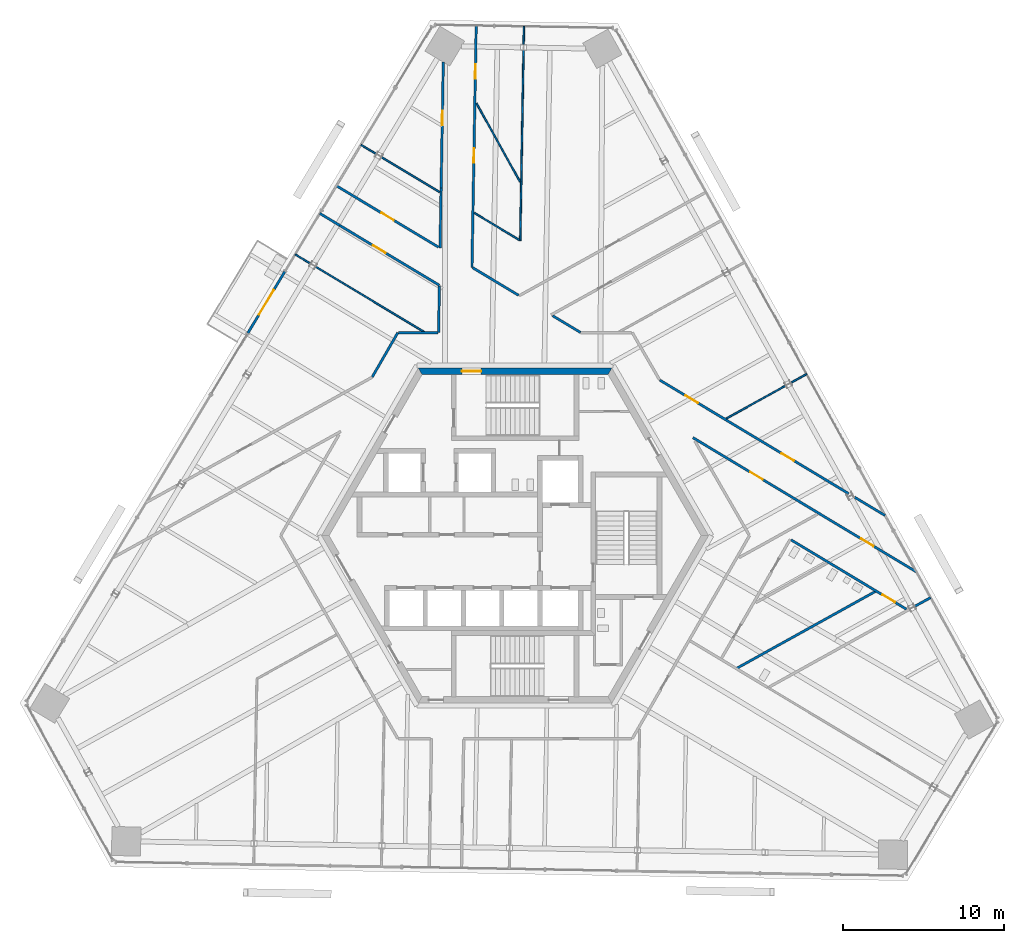
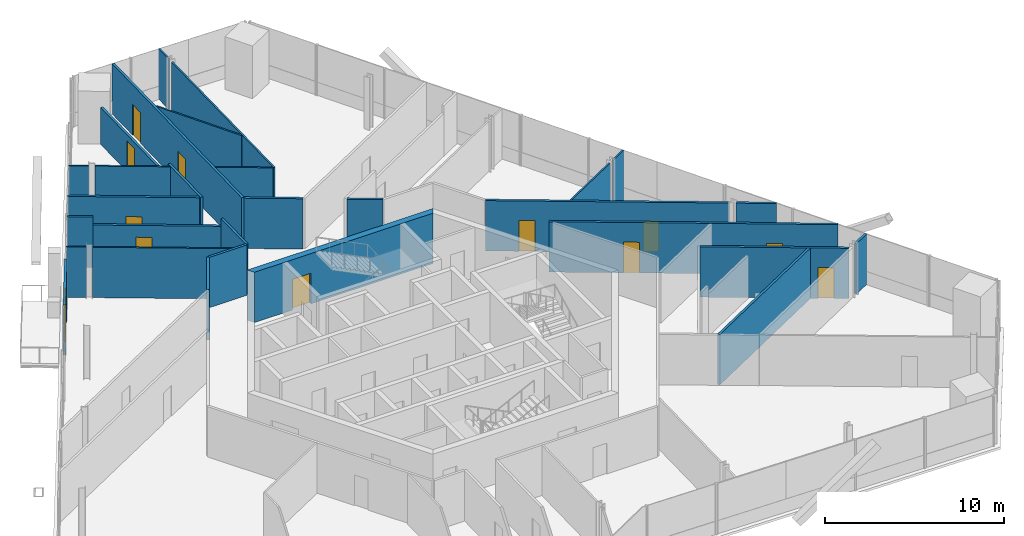
# One storey, part 14 of 19: 29 walls, 12 doors, 12 openings.
"""IFC4 building model written with IfcOpenShell, lengths in metres."""

import ifcopenshell
import ifcopenshell.guid

model = None  # the IFC model being written
_history = None  # IfcOwnerHistory: only IFC2X3 demands one
_inside = {}  # id of a spatial element -> (the spatial element, [elements in it])
_under = {}  # id of a project, library or spatial element -> (it, [spatial elements below it])
_declared = {}  # id of a project -> (the project, [libraries it declares])
_typed = {}  # id of a type object -> (the type object, [elements of that type])
_made_of = {}  # id of a material, layer set ... -> (it, [elements and type objects made of it])


def new_model(schema):
    """Start an empty IFC model of exactly this schema.

    Asked for "IFC4X3", IfcOpenShell would pick the latest addendum, in which some entities
    have other attributes; the version numbers below select the first issue.
    IFC2X3 requires an IfcOwnerHistory on every rooted entity: one is made here for all.
    """
    global model, _history
    if schema == "IFC4X3":
        model = ifcopenshell.file(schema_version=(4, 3, 0, 0))
    else:
        model = ifcopenshell.file(schema=schema)
    _inside.clear()
    _under.clear()
    _declared.clear()
    _typed.clear()
    _made_of.clear()
    _history = None
    if model.schema == "IFC2X3":
        org = make("IfcOrganization", Name="unknown")
        user = make(
            "IfcPersonAndOrganization",
            ThePerson=make("IfcPerson", FamilyName="unknown"),
            TheOrganization=org,
        )
        app = make(
            "IfcApplication",
            ApplicationDeveloper=org,
            Version="unknown",
            ApplicationFullName="unknown",
            ApplicationIdentifier="unknown",
        )
        _history = make(
            "IfcOwnerHistory",
            OwningUser=user,
            OwningApplication=app,
            ChangeAction="ADDED",
            CreationDate=0,
        )
    return model


def make(cls, **values):
    """One entity of the class cls with the attributes given. An attribute that is None is left unset."""
    return model.create_entity(
        cls, **{name: value for name, value in values.items() if value is not None}
    )


def rooted(cls, **values):
    """An entity with a GlobalId (a new one), such as an element, a storey or a relation."""
    return make(cls, GlobalId=ifcopenshell.guid.new(), OwnerHistory=_history, **values)


def si_unit(unit_type, name, prefix=None):
    """IfcSIUnit, for example si_unit("LENGTHUNIT", "METRE", prefix="MILLI")."""
    return make("IfcSIUnit", UnitType=unit_type, Prefix=prefix, Name=name)


def assignment(units):
    """IfcUnitAssignment: the units of a project."""
    return None if units is None else make("IfcUnitAssignment", Units=units)


def point(xyz):
    """IfcCartesianPoint."""
    return None if xyz is None else make("IfcCartesianPoint", Coordinates=xyz)


def direction(xyz):
    """IfcDirection."""
    return None if xyz is None else make("IfcDirection", DirectionRatios=xyz)


def frame(location, z_axis=None, x_axis=None):
    """IfcAxis2Placement3D, a coordinate frame: its origin and axes. An axis left out is left unset."""
    return make(
        "IfcAxis2Placement3D",
        Location=point(location),
        Axis=direction(z_axis),
        RefDirection=direction(x_axis),
    )


def frame_2d(location, x_axis=None):
    """IfcAxis2Placement2D, a coordinate frame in the plane: its origin and x axis."""
    return make(
        "IfcAxis2Placement2D", Location=point(location), RefDirection=direction(x_axis)
    )


def origin():
    """The frame at (0, 0, 0) with its axes left unset."""
    return frame((0.0, 0.0, 0.0))


def place(relative_to, where):
    """IfcLocalPlacement: puts the frame where relative to a parent placement (None: the world)."""
    return make(
        "IfcLocalPlacement", PlacementRelTo=relative_to, RelativePlacement=where
    )


def context(
    kind, dimensions, precision=None, world=None, true_north=None, identifier=None
):
    """IfcGeometricRepresentationContext, for example the 3D "Model" context."""
    return make(
        "IfcGeometricRepresentationContext",
        ContextIdentifier=identifier,
        ContextType=kind,
        CoordinateSpaceDimension=dimensions,
        Precision=precision,
        WorldCoordinateSystem=world,
        TrueNorth=true_north,
    )


def subcontext(parent, identifier, kind, view, scale=None):
    """IfcGeometricRepresentationSubContext, for example "Body" below "Model"."""
    return make(
        "IfcGeometricRepresentationSubContext",
        ContextIdentifier=identifier,
        ContextType=kind,
        ParentContext=parent,
        TargetScale=scale,
        TargetView=view,
    )


def project(units=None, contexts=None):
    """IfcProject with its units and contexts."""
    return rooted(
        "IfcProject",
        Name="project",
        RepresentationContexts=contexts,
        UnitsInContext=assignment(units),
    )


def spatial(cls, under=None, at=None, **own):
    """A site, building, storey or space (cls), placed at a placement, below another one or the project."""
    s = rooted(cls, ObjectPlacement=at, **own)
    if under is not None:
        _under.setdefault(under.id(), (under, []))[1].append(s)
    return s


def polyline(points):
    """IfcPolyline through the points."""
    return make("IfcPolyline", Points=[point(p) for p in points])


def profile(cls, at=None, kind="AREA", **sizes):
    """A parametric profile (cls). Its sizes go by their IFC names, for example OverallWidth=200.0."""
    return make(cls, ProfileType=kind, Position=at, **sizes)


def rectangle(**sizes):
    """IfcRectangleProfileDef."""
    return profile("IfcRectangleProfileDef", **sizes)


def outline(outer, holes=None, kind="AREA"):
    """IfcArbitraryClosedProfileDef: a profile drawn as a closed curve; with holes, ...WithVoids."""
    if holes is None:
        return make("IfcArbitraryClosedProfileDef", ProfileType=kind, OuterCurve=outer)
    return make(
        "IfcArbitraryProfileDefWithVoids",
        ProfileType=kind,
        OuterCurve=outer,
        InnerCurves=holes,
    )


def extrude(swept, where, along, depth):
    """IfcExtrudedAreaSolid: the profile swept, set in the frame where, extruded along a direction by depth."""
    return make(
        "IfcExtrudedAreaSolid",
        SweptArea=swept,
        Position=where,
        ExtrudedDirection=direction(along),
        Depth=depth,
    )


def shape(context_of_items, identifier, shape_type, items):
    """IfcShapeRepresentation: the items that make up one representation, for example the "Body"."""
    return make(
        "IfcShapeRepresentation",
        ContextOfItems=context_of_items,
        RepresentationIdentifier=identifier,
        RepresentationType=shape_type,
        Items=items,
    )


def source(mapping_origin, context_of_items, identifier, shape_type, items):
    """IfcRepresentationMap: a shape defined once, which mapped items show again and again."""
    return make(
        "IfcRepresentationMap",
        MappingOrigin=mapping_origin,
        MappedRepresentation=shape(context_of_items, identifier, shape_type, items),
    )


def transform(
    local_origin,
    x_axis=None,
    y_axis=None,
    z_axis=None,
    scale=None,
    scale2=None,
    scale3=None,
    uniform=True,
):
    """IfcCartesianTransformationOperator3D, or its non-uniform kind. x_axis, y_axis, z_axis: its Axis1, 2, 3."""
    if uniform:
        return make(
            "IfcCartesianTransformationOperator3D",
            Axis1=direction(x_axis),
            Axis2=direction(y_axis),
            LocalOrigin=point(local_origin),
            Scale=scale,
            Axis3=direction(z_axis),
        )
    return make(
        "IfcCartesianTransformationOperator3DnonUniform",
        Axis1=direction(x_axis),
        Axis2=direction(y_axis),
        LocalOrigin=point(local_origin),
        Scale=scale,
        Axis3=direction(z_axis),
        Scale2=scale2,
        Scale3=scale3,
    )


def mapped(mapping_source, mapping_target):
    """IfcMappedItem: shows the shape of a source again, moved by a transform."""
    return make(
        "IfcMappedItem", MappingSource=mapping_source, MappingTarget=mapping_target
    )


def material(Name=None, Category=None):
    """IfcMaterial."""
    return make("IfcMaterial", Name=Name, Category=Category)


def layer(
    of_material, thickness, ventilated=None, Name=None, Category=None, Priority=None
):
    """IfcMaterialLayer: one layer of a wall or slab, of a material (None: an air gap)."""
    return make(
        "IfcMaterialLayer",
        Material=of_material,
        LayerThickness=thickness,
        IsVentilated=ventilated,
        Name=Name,
        Category=Category,
        Priority=Priority,
    )


def layer_set(layers, Name=None):
    """IfcMaterialLayerSet."""
    return make("IfcMaterialLayerSet", MaterialLayers=layers, LayerSetName=Name)


def made_of(thing, what):
    """Note that an element or type object is made of a material, layer set ...; save() writes the relation."""
    if what is not None:
        _made_of.setdefault(what.id(), (what, []))[1].append(thing)
    return thing


def type_object(cls, material=None, **own):
    """A type object (cls), such as IfcWallType, which elements share."""
    return made_of(rooted(cls, **own), material)


def element(
    cls,
    number,
    at=None,
    inside=None,
    cuts=None,
    type_object=None,
    material=None,
    context=None,
    identifier="Body",
    shape_type=None,
    held_by="IfcProductDefinitionShape",
    body=None,
    shapes=None,
    **own,
):
    """One element of the class cls, such as IfcWall. Its Tag is "e" and its number.

    at: its placement. inside: the storey or other place that contains it. cuts: it is an
    opening in that element (IfcRelVoidsElement). A single representation is given by context,
    identifier, shape_type and body (its items); several are given by shapes. held_by: the class
    of the entity that holds the representations. save() writes the other relations.
    """
    e = rooted(cls, Tag="e%d" % number, ObjectPlacement=at, **own)
    if body is not None:
        shapes = [shape(context, identifier, shape_type, body)]
    if shapes is not None:
        e.Representation = make(held_by, Representations=shapes)
    if inside is not None:
        _inside.setdefault(inside.id(), (inside, []))[1].append(e)
    if cuts is not None:
        rooted(
            "IfcRelVoidsElement", RelatingBuildingElement=cuts, RelatedOpeningElement=e
        )
    if type_object is not None:
        _typed.setdefault(type_object.id(), (type_object, []))[1].append(e)
    return made_of(e, material)


def fill(opening, filler):
    """IfcRelFillsElement: the door or window that sits in an opening."""
    return rooted(
        "IfcRelFillsElement",
        RelatingOpeningElement=opening,
        RelatedBuildingElement=filler,
    )


def aggregate(whole, parts):
    """IfcRelAggregates: a whole, such as a stair, and the parts it consists of."""
    return rooted("IfcRelAggregates", RelatingObject=whole, RelatedObjects=parts)


def save(model, path):
    """Write the relations noted so far, then the file.

    IfcRelAggregates (storeys below a building ...), IfcRelContainedInSpatialStructure (elements
    in a storey), IfcRelDefinesByType, IfcRelAssociatesMaterial and IfcRelDeclares: one each for
    every whole, place, type object, material and project.
    """
    for whole, parts in _under.values():
        aggregate(whole, parts)
    for where, things in _inside.values():
        rooted(
            "IfcRelContainedInSpatialStructure",
            RelatedElements=things,
            RelatingStructure=where,
        )
    for kind, things in _typed.values():
        rooted("IfcRelDefinesByType", RelatedObjects=things, RelatingType=kind)
    for what, things in _made_of.values():
        rooted("IfcRelAssociatesMaterial", RelatedObjects=things, RelatingMaterial=what)
    for by, libraries in _declared.values():
        rooted("IfcRelDeclares", RelatingContext=by, RelatedDefinitions=libraries)
    model.write(path)


model = new_model("IFC4")

# Units and contexts
model_context = context("Model", 3, precision=1e-05, world=origin(), true_north=direction((0.0, 1.0)))
body_context = subcontext(model_context, "Body", "Model", "MODEL_VIEW")
ifc_project = project(units=[si_unit("LENGTHUNIT", "METRE"), si_unit("AREAUNIT", "SQUARE_METRE"), si_unit("VOLUMEUNIT", "CUBIC_METRE"), si_unit("PLANEANGLEUNIT", "RADIAN"), si_unit("MASSUNIT", "GRAM", prefix="KILO")], contexts=[model_context])

# Site, building, storey
site_placement = place(None, origin())
site = spatial("IfcSite", under=ifc_project, at=site_placement, CompositionType="ELEMENT")
building_placement = place(site_placement, origin())
building = spatial("IfcBuilding", under=site, at=building_placement, Name="Triune Harvest Tower", CompositionType="ELEMENT")
storey_placement = place(building_placement, frame((0.0, 0.0, 205.10009765625)))
storey = spatial("IfcBuildingStorey", under=building, at=storey_placement, Name="L53", CompositionType="ELEMENT", Elevation=205.10009765625)

# Wall, opening, door
ifc_material_1 = material(Name="Gypsum board on steel studs", Category="steel")
ifc_layer_1 = layer(ifc_material_1, 0.14990234375)
ifc_layer_set_1 = layer_set([ifc_layer_1], Name="Gypsum board on steel studs")
wall_type_1 = type_object("IfcWallType", Name="Fire Partition 150 mm", PredefinedType="PARTITIONING", material=ifc_layer_set_1)
wall_1_placement = place(storey_placement, frame((-10.86767578125, 19.235595703125, 0.0), z_axis=(0.0, 0.0, 1.0), x_axis=(0.857163785193, -0.515043925654, 0.0)))
wall_1 = element("IfcWall", 1, at=wall_1_placement, inside=storey, type_object=wall_type_1, Name="Partition L53 011a", PredefinedType="PARTITIONING", context=body_context, shape_type="SweptSolid", body=[
    extrude(rectangle(XDim=7.203125, YDim=0.14990234375, at=frame_2d((3.6015625, 0.0))), origin(), (0.0, 0.0, 1.0), 2.90380859375),
])
opening_1_placement = place(wall_1_placement, frame((2.3955078125, 0.0, 0.0)))
opening_1 = element("IfcOpeningElement", 2, at=opening_1_placement, cuts=wall_1, Name="Opening L53-013", PredefinedType="OPENING", context=body_context, shape_type="SweptSolid", body=[
    extrude(rectangle(XDim=0.89990234375, YDim=2.10009765625, at=frame_2d((0.449951171875, 1.050048828125))), frame((0.0, 0.0849609375, 0.0), z_axis=(0.0, -1.0, 0.0), x_axis=(1.0, 0.0, 0.0)), (0.0, 0.0, 1.0), 0.169921875),
])
ifc_material_2 = material(Name="Timber and steel door set", Category="steel")
door_type_1 = type_object("IfcDoorType", Name="Single leaf door FD30 right hand 900 x 2100", OperationType="SINGLE_SWING_RIGHT", PredefinedType="DOOR", material=ifc_material_2)
door_1_placement = place(opening_1_placement, origin())
door_1 = element("IfcDoor", 3, at=door_1_placement, inside=storey, type_object=door_type_1, Name="Door L53-013 Meeting Room 53.13", OperationType="SINGLE_SWING_RIGHT", OverallHeight=2.10009765625, OverallWidth=0.89990234375, PredefinedType="DOOR", context=body_context, shape_type="SweptSolid", body=[
    extrude(rectangle(XDim=0.89990234375, YDim=2.10009765625, at=frame_2d((0.449951171875, 1.050048828125))), frame((0.0, 0.02490234375, 0.0), z_axis=(0.0, -1.0, 0.0), x_axis=(1.0, 0.0, 0.0)), (0.0, 0.0, 1.0), 0.050048828125),
])
fill(opening_1, door_1)

wall_2_placement = place(storey_placement, frame((-4.587890625, 21.5732421875, 0.0), z_axis=(0.0, 0.0, 1.0), x_axis=(0.017477005047, 0.999847265483, 0.0)))
wall_2 = element("IfcWall", 4, at=wall_2_placement, inside=storey, type_object=wall_type_1, Name="Partition L53 054a", PredefinedType="PARTITIONING", context=body_context, shape_type="SweptSolid", body=[
    extrude(rectangle(XDim=7.808837890625, YDim=0.14990234375, at=frame_2d((3.904296875, 0.0))), origin(), (0.0, 0.0, 1.0), 2.517822265625),
])
opening_2_placement = place(wall_2_placement, frame((3.87353515625, 0.0, 0.0)))
opening_2 = element("IfcOpeningElement", 5, at=opening_2_placement, cuts=wall_2, Name="Opening L53-011", PredefinedType="OPENING", context=body_context, shape_type="SweptSolid", body=[
    extrude(rectangle(XDim=0.89990234375, YDim=2.10009765625, at=frame_2d((0.449951171875, 1.050048828125))), frame((0.0, 0.0849609375, 0.0), z_axis=(0.0, -1.0, 0.0), x_axis=(1.0, 0.0, 0.0)), (0.0, 0.0, 1.0), 0.169921875),
])
door_2_placement = place(opening_2_placement, origin())
door_2 = element("IfcDoor", 6, at=door_2_placement, inside=storey, type_object=door_type_1, Name="Door L53-011 Meeting Room 53.11", OperationType="SINGLE_SWING_RIGHT", OverallHeight=2.10009765625, OverallWidth=0.89990234375, PredefinedType="DOOR", context=body_context, shape_type="SweptSolid", body=[
    extrude(rectangle(XDim=0.89990234375, YDim=2.10009765625, at=frame_2d((0.449951171875, 1.050048828125))), frame((0.0, 0.02490234375, 0.0), z_axis=(0.0, -1.0, 0.0), x_axis=(1.0, 0.0, 0.0)), (0.0, 0.0, 1.0), 0.050048828125),
])
fill(opening_2, door_2)

ifc_material_3 = material(Name="Concrete 70 MPa", Category="concrete")
ifc_layer_2 = layer(ifc_material_3, 0.39990234375)
ifc_layer_set_2 = layer_set([ifc_layer_2], Name="Concrete 70 MPa")
wall_type_2 = type_object("IfcWallType", Name="Core wall 400", PredefinedType="SHEAR", material=ifc_layer_set_2)
shared_shape_1 = source(origin(), body_context, "Body", "SweptSolid", [
    extrude(outline(polyline([(-0.115478515625, -0.199951171875), (11.884521484375, -0.199951171875), (11.653564453125, 0.199951171875), (0.115478515625, 0.199951171875), (-0.115478515625, -0.199951171875)])), origin(), (0.0, 0.0, 1.0), 3.43994140625),
])
wall_3_placement = place(storey_placement, frame((5.884521484375, 10.1923828125, 0.0), z_axis=(0.0, 0.0, 1.0), x_axis=(-1.0, 0.0, 0.0)))
wall_3 = element("IfcWall", 7, at=wall_3_placement, inside=storey, type_object=wall_type_2, Name="Hexagon 1 wall", PredefinedType="SHEAR", context=body_context, shape_type="MappedRepresentation", body=[
    mapped(shared_shape_1, transform((0.0, 0.0, 0.0), scale=1.0)),
])
opening_3_placement = place(wall_3_placement, frame((7.984619140625, 0.0, 0.0)))
opening_3 = element("IfcOpeningElement", 8, at=opening_3_placement, cuts=wall_3, Name="Opening CD-S1P", PredefinedType="OPENING", context=body_context, shape_type="SweptSolid", body=[
    extrude(rectangle(XDim=1.199951171875, YDim=2.10009765625, at=frame_2d((0.60009765625, 1.050048828125))), frame((0.0, 0.2099609375, 0.0), z_axis=(0.0, -1.0, 0.0), x_axis=(1.0, 0.0, 0.0)), (0.0, 0.0, 1.0), 0.419921875),
])
ifc_material_4 = material(Name="Steel S235", Category="steel")
door_type_2 = type_object("IfcDoorType", Name="Stair door 1200 FD120", OperationType="SINGLE_SWING_LEFT", PredefinedType="DOOR", material=ifc_material_4)
door_3_placement = place(opening_3_placement, frame((1.199951171875, 0.0, 0.0), z_axis=(0.0, 0.0, 1.0), x_axis=(-1.0, 0.0, 0.0)))
door_3 = element("IfcDoor", 9, at=door_3_placement, inside=storey, type_object=door_type_2, Name="Door CD-S1P", OperationType="SINGLE_SWING_RIGHT", OverallHeight=2.10009765625, OverallWidth=1.199951171875, PredefinedType="DOOR", context=body_context, shape_type="SweptSolid", body=[
    extrude(rectangle(XDim=1.199951171875, YDim=2.10009765625, at=frame_2d((0.60009765625, 1.050048828125))), frame((0.0, 0.02490234375, 0.0), z_axis=(0.0, -1.0, 0.0), x_axis=(1.0, 0.0, 0.0)), (0.0, 0.0, 1.0), 0.050048828125),
])
fill(opening_3, door_3)

ifc_material_5 = material(Name="Aluminium bronze anodised", Category="aluminium")
ifc_layer_3 = layer(ifc_material_5, 0.14990234375)
ifc_layer_set_3 = layer_set([ifc_layer_3], Name="Aluminium bronze anodised")
wall_type_3 = type_object("IfcWallType", Name="WW-2 balcony window wall", PredefinedType="ELEMENTEDWALL", material=ifc_layer_set_3)
shared_shape_2 = source(origin(), body_context, "Body", "SweptSolid", [
    extrude(rectangle(XDim=4.460693359375, YDim=0.14990234375, at=frame_2d((2.23046875, 0.0))), origin(), (0.0, 0.0, 1.0), 3.43994140625),
])
wall_4_placement = place(storey_placement, frame((-16.574951171875, 12.561279296875, 0.0), z_axis=(0.0, 0.0, 1.0), x_axis=(0.515034931991, 0.857169189151, 0.0)))
wall_4 = element("IfcWall", 10, at=wall_4_placement, inside=storey, type_object=wall_type_3, Name="WW-2 B5-F3 L53.5", PredefinedType="ELEMENTEDWALL", context=body_context, shape_type="MappedRepresentation", body=[
    mapped(shared_shape_2, transform((0.0, 0.0, 0.0), scale=1.0)),
])
opening_4_placement = place(wall_4_placement, frame((1.330322265625, 0.0, 0.0)))
opening_4 = element("IfcOpeningElement", 11, at=opening_4_placement, cuts=wall_4, Name="Opening L53-E01", PredefinedType="OPENING", context=body_context, shape_type="SweptSolid", body=[
    extrude(rectangle(XDim=1.800048828125, YDim=2.39990234375, at=frame_2d((0.89990234375, 1.199951171875))), frame((0.0, 0.0849609375, 0.0), z_axis=(0.0, -1.0, 0.0), x_axis=(1.0, 0.0, 0.0)), (0.0, 0.0, 1.0), 0.169921875),
])
ifc_material_6 = material(Name="Glass", Category="glass")
door_type_3 = type_object("IfcDoorType", Name="DB-1 balcony door 1800 x 2400", OperationType="DOUBLE_DOOR_SINGLE_SWING", PredefinedType="DOOR", material=ifc_material_6)
door_4_placement = place(opening_4_placement, origin())
door_4 = element("IfcDoor", 12, at=door_4_placement, inside=storey, type_object=door_type_3, Name="Door L53-E01", OperationType="DOUBLE_DOOR_SINGLE_SWING", OverallHeight=2.39990234375, OverallWidth=1.800048828125, PredefinedType="DOOR", context=body_context, shape_type="SweptSolid", body=[
    extrude(rectangle(XDim=1.800048828125, YDim=2.39990234375, at=frame_2d((0.89990234375, 1.199951171875))), frame((0.0, 0.02490234375, 0.0), z_axis=(0.0, -1.0, 0.0), x_axis=(1.0, 0.0, 0.0)), (0.0, 0.0, 1.0), 0.050048828125),
])
fill(opening_4, door_4)

# Walls
ifc_material_7 = material(Name="Gypsum board on steel studs", Category="steel")
ifc_layer_4 = layer(ifc_material_7, 0.10009765625)
ifc_layer_set_4 = layer_set([ifc_layer_4], Name="Gypsum board on steel studs")
wall_type_4 = type_object("IfcWallType", Name="Partition 100 mm", PredefinedType="PARTITIONING", material=ifc_layer_set_4)
shared_shape_3 = source(origin(), body_context, "Body", "SweptSolid", [
    extrude(rectangle(XDim=1.13037109375, YDim=0.10009765625, at=frame_2d((0.565185546875, 0.0))), origin(), (0.0, 0.0, 1.0), 3.43994140625),
])
for number, where, z_axis, x_axis, name in (
    (13, (-13.640869140625, 17.444580078125, 0.0), (0.0, 0.0, 1.0), (0.857149738065, -0.515067302919, 0.0), "Partition L53 008"),
    (14, (-9.557861328125, 24.239501953125, 0.0), (0.0, 0.0, 1.0), (0.857149738065, -0.515067302919, 0.0), "Partition L53 018"),
):
    element("IfcWall", number, at=place(storey_placement, frame(where, z_axis=z_axis, x_axis=x_axis)), inside=storey, type_object=wall_type_4, Name=name, PredefinedType="PARTITIONING", context=body_context, shape_type="MappedRepresentation", body=[
        mapped(shared_shape_3, transform((0.0, 0.0, 0.0), scale=1.0)),
    ])
shared_shape_4 = source(origin(), body_context, "Body", "SweptSolid", [
    extrude(rectangle(XDim=1.130615234375, YDim=0.10009765625, at=frame_2d((0.5654296875, 0.0))), origin(), (0.0, 0.0, 1.0), 3.43994140625),
])
for number, where, z_axis, x_axis, name in (
    (15, (17.095703125, 9.476318359375, 0.0), (0.0, 0.0, 1.0), (0.874666025762, 0.484726049824, 0.0), "Partition L53 032"),
    (16, (0.53125, 30.449951171875, 0.0), (0.0, 0.0, 1.0), (0.017491923839, 0.999847004596, 0.0), "Partition L53 049"),
):
    element("IfcWall", number, at=place(storey_placement, frame(where, z_axis=z_axis, x_axis=x_axis)), inside=storey, type_object=wall_type_4, Name=name, PredefinedType="PARTITIONING", context=body_context, shape_type="MappedRepresentation", body=[
        mapped(shared_shape_4, transform((0.0, 0.0, 0.0), scale=1.0)),
    ])
shared_shape_5 = source(origin(), body_context, "Body", "SweptSolid", [
    extrude(rectangle(XDim=5.577392578125, YDim=0.10009765625, at=frame_2d((2.78857421875, 0.0))), origin(), (0.0, 0.0, 1.0), 3.43994140625),
])
wall_5_placement = place(storey_placement, frame((-2.39599609375, 26.822021484375, 0.0), z_axis=(0.0, 0.0, 1.0), x_axis=(0.484839929224, -0.874602905912, 0.0)))
element("IfcWall", 17, at=wall_5_placement, inside=storey, type_object=wall_type_4, Name="Partition L53 001", PredefinedType="PARTITIONING", context=body_context, shape_type="MappedRepresentation", body=[
    mapped(shared_shape_5, transform((0.0, 0.0, 0.0), scale=1.0)),
])
shared_shape_6 = source(origin(), body_context, "Body", "SweptSolid", [
    extrude(rectangle(XDim=7.947265625, YDim=0.10009765625, at=frame_2d((3.9736328125, 0.0))), origin(), (0.0, 0.0, 1.0), 3.43994140625),
])
wall_6_placement = place(storey_placement, frame((-12.377685546875, 16.685302734375, 0.0), z_axis=(0.0, 0.0, 1.0), x_axis=(0.857178338014, -0.515019705293, 0.0)))
element("IfcWall", 18, at=wall_6_placement, inside=storey, type_object=wall_type_4, Name="Partition L53 009", PredefinedType="PARTITIONING", context=body_context, shape_type="MappedRepresentation", body=[
    mapped(shared_shape_6, transform((0.0, 0.0, 0.0), scale=1.0)),
])

# Wall, opening, door
shared_shape_7 = source(origin(), body_context, "Body", "SweptSolid", [
    extrude(rectangle(XDim=8.35302734375, YDim=0.14990234375, at=frame_2d((4.176513671875, 0.0))), origin(), (0.0, 0.0, 1.0), 3.43994140625),
])
wall_7_placement = place(storey_placement, frame((17.114501953125, -0.260986328125, 0.0), z_axis=(0.0, 0.0, 1.0), x_axis=(0.857172970092, -0.515028639343, 0.0)))
wall_7 = element("IfcWall", 19, at=wall_7_placement, inside=storey, type_object=wall_type_1, Name="Partition L53 010", PredefinedType="PARTITIONING", context=body_context, shape_type="MappedRepresentation", body=[
    mapped(shared_shape_7, transform((0.0, 0.0, 0.0), scale=1.0)),
])
opening_5_placement = place(wall_7_placement, frame((6.612060546875, 0.0, 0.0)))
opening_5 = element("IfcOpeningElement", 20, at=opening_5_placement, cuts=wall_7, Name="Opening L53-002", PredefinedType="OPENING", context=body_context, shape_type="SweptSolid", body=[
    extrude(rectangle(XDim=0.89990234375, YDim=2.10009765625, at=frame_2d((0.449951171875, 1.050048828125))), frame((0.0, 0.0849609375, 0.0), z_axis=(0.0, -1.0, 0.0), x_axis=(1.0, 0.0, 0.0)), (0.0, 0.0, 1.0), 0.169921875),
])
ifc_material_8 = material(Name="Timber and steel door set", Category="steel")
door_type_4 = type_object("IfcDoorType", Name="Single leaf door FD30 left hand 900 x 2100", OperationType="SINGLE_SWING_LEFT", PredefinedType="DOOR", material=ifc_material_8)
door_5_placement = place(opening_5_placement, origin())
door_5 = element("IfcDoor", 21, at=door_5_placement, inside=storey, type_object=door_type_4, Name="Door L53-002 Women's WC 53.02", OperationType="SINGLE_SWING_LEFT", OverallHeight=2.10009765625, OverallWidth=0.89990234375, PredefinedType="DOOR", context=body_context, shape_type="SweptSolid", body=[
    extrude(rectangle(XDim=0.89990234375, YDim=2.10009765625, at=frame_2d((0.449951171875, 1.050048828125))), frame((0.0, 0.02490234375, 0.0), z_axis=(0.0, -1.0, 0.0), x_axis=(1.0, 0.0, 0.0)), (0.0, 0.0, 1.0), 0.050048828125),
])
fill(opening_5, door_5)

# Wall
shared_shape_8 = source(origin(), body_context, "Body", "SweptSolid", [
    extrude(rectangle(XDim=1.45458984375, YDim=0.14990234375, at=frame_2d((0.727294921875, 0.0))), origin(), (0.0, 0.0, 1.0), 3.43994140625),
])
wall_8_placement = place(storey_placement, frame((-12.114501953125, 19.984619140625, 0.0), z_axis=(0.0, 0.0, 1.0), x_axis=(0.857211401393, -0.514964671916, 0.0)))
element("IfcWall", 22, at=wall_8_placement, inside=storey, type_object=wall_type_1, Name="Partition L53 011", PredefinedType="PARTITIONING", context=body_context, shape_type="MappedRepresentation", body=[
    mapped(shared_shape_8, transform((0.0, 0.0, 0.0), scale=1.0)),
])

# Wall, openings, doors
shared_shape_9 = source(origin(), body_context, "Body", "SweptSolid", [
    extrude(rectangle(XDim=16.16455078125, YDim=0.14990234375, at=frame_2d((8.082275390625, 0.0))), origin(), (0.0, 0.0, 1.0), 3.43994140625),
])
wall_9_placement = place(storey_placement, frame((11.03173828125, 6.0771484375, 0.0), z_axis=(0.0, 0.0, 1.0), x_axis=(0.857164918377, -0.515042039744, 0.0)))
wall_9 = element("IfcWall", 23, at=wall_9_placement, inside=storey, type_object=wall_type_1, Name="Partition L53 012", PredefinedType="PARTITIONING", context=body_context, shape_type="MappedRepresentation", body=[
    mapped(shared_shape_9, transform((0.0, 0.0, 0.0), scale=1.0)),
])
opening_6_placement = place(wall_9_placement, frame((12.165283203125, 0.0, 0.0)))
opening_6 = element("IfcOpeningElement", 24, at=opening_6_placement, cuts=wall_9, Name="Opening L53-001", PredefinedType="OPENING", context=body_context, shape_type="SweptSolid", body=[
    extrude(rectangle(XDim=0.89990234375, YDim=2.10009765625, at=frame_2d((0.449951171875, 1.050048828125))), frame((0.0, 0.0849609375, 0.0), z_axis=(0.0, -1.0, 0.0), x_axis=(1.0, 0.0, 0.0)), (0.0, 0.0, 1.0), 0.169921875),
])
opening_7_placement = place(wall_9_placement, frame((4.14990234375, 0.0, 0.0)))
opening_7 = element("IfcOpeningElement", 25, at=opening_7_placement, cuts=wall_9, Name="Opening L53-005", PredefinedType="OPENING", context=body_context, shape_type="SweptSolid", body=[
    extrude(rectangle(XDim=0.89990234375, YDim=2.10009765625, at=frame_2d((0.449951171875, 1.050048828125))), frame((0.0, 0.0849609375, 0.0), z_axis=(0.0, -1.0, 0.0), x_axis=(1.0, 0.0, 0.0)), (0.0, 0.0, 1.0), 0.169921875),
])
door_6_placement = place(opening_6_placement, origin())
door_6 = element("IfcDoor", 26, at=door_6_placement, inside=storey, type_object=door_type_4, Name="Door L53-001 WC lobby 53.01", OperationType="SINGLE_SWING_LEFT", OverallHeight=2.10009765625, OverallWidth=0.89990234375, PredefinedType="DOOR", context=body_context, shape_type="SweptSolid", body=[
    extrude(rectangle(XDim=0.89990234375, YDim=2.10009765625, at=frame_2d((0.449951171875, 1.050048828125))), frame((0.0, 0.02490234375, 0.0), z_axis=(0.0, -1.0, 0.0), x_axis=(1.0, 0.0, 0.0)), (0.0, 0.0, 1.0), 0.050048828125),
])
fill(opening_6, door_6)
door_7_placement = place(opening_7_placement, origin())
door_7 = element("IfcDoor", 27, at=door_7_placement, inside=storey, type_object=door_type_1, Name="Door L53-005 Meeting Room 53.05", OperationType="SINGLE_SWING_RIGHT", OverallHeight=2.10009765625, OverallWidth=0.89990234375, PredefinedType="DOOR", context=body_context, shape_type="SweptSolid", body=[
    extrude(rectangle(XDim=0.89990234375, YDim=2.10009765625, at=frame_2d((0.449951171875, 1.050048828125))), frame((0.0, 0.02490234375, 0.0), z_axis=(0.0, -1.0, 0.0), x_axis=(1.0, 0.0, 0.0)), (0.0, 0.0, 1.0), 0.050048828125),
])
fill(opening_7, door_7)

# Wall, opening, door
shared_shape_10 = source(origin(), body_context, "Body", "SweptSolid", [
    extrude(rectangle(XDim=7.392822265625, YDim=0.14990234375, at=frame_2d((3.6962890625, 0.0))), origin(), (0.0, 0.0, 1.0), 3.43994140625),
])
wall_10_placement = place(storey_placement, frame((-11.08447265625, 21.69921875, 0.0), z_axis=(0.0, 0.0, 1.0), x_axis=(0.85716640011, -0.515039573744, 0.0)))
wall_10 = element("IfcWall", 28, at=wall_10_placement, inside=storey, type_object=wall_type_1, Name="Partition L53 013", PredefinedType="PARTITIONING", context=body_context, shape_type="MappedRepresentation", body=[
    mapped(shared_shape_10, transform((0.0, 0.0, 0.0), scale=1.0)),
])
opening_8_placement = place(wall_10_placement, frame((3.2529296875, 0.0, 0.0)))
opening_8 = element("IfcOpeningElement", 29, at=opening_8_placement, cuts=wall_10, Name="Opening L53-014", PredefinedType="OPENING", context=body_context, shape_type="SweptSolid", body=[
    extrude(rectangle(XDim=0.89990234375, YDim=2.10009765625, at=frame_2d((0.449951171875, 1.050048828125))), frame((0.0, 0.0849609375, 0.0), z_axis=(0.0, -1.0, 0.0), x_axis=(1.0, 0.0, 0.0)), (0.0, 0.0, 1.0), 0.169921875),
])
door_8_placement = place(opening_8_placement, origin())
door_8 = element("IfcDoor", 30, at=door_8_placement, inside=storey, type_object=door_type_4, Name="Door L53-014 Office 53.14", OperationType="SINGLE_SWING_LEFT", OverallHeight=2.10009765625, OverallWidth=0.89990234375, PredefinedType="DOOR", context=body_context, shape_type="SweptSolid", body=[
    extrude(rectangle(XDim=0.89990234375, YDim=2.10009765625, at=frame_2d((0.449951171875, 1.050048828125))), frame((0.0, 0.02490234375, 0.0), z_axis=(0.0, -1.0, 0.0), x_axis=(1.0, 0.0, 0.0)), (0.0, 0.0, 1.0), 0.050048828125),
])
fill(opening_8, door_8)

# Walls
shared_shape_11 = source(origin(), body_context, "Body", "SweptSolid", [
    extrude(rectangle(XDim=3.322021484375, YDim=0.14990234375, at=frame_2d((1.6611328125, 0.0))), origin(), (0.0, 0.0, 1.0), 3.43994140625),
])
wall_11_placement = place(storey_placement, frame((-2.630615234375, 16.619384765625, 0.0), z_axis=(0.0, 0.0, 1.0), x_axis=(0.857181519157, -0.515014410687, 0.0)))
element("IfcWall", 31, at=wall_11_placement, inside=storey, type_object=wall_type_1, Name="Partition L53 014", PredefinedType="PARTITIONING", context=body_context, shape_type="MappedRepresentation", body=[
    mapped(shared_shape_11, transform((0.0, 0.0, 0.0), scale=1.0)),
])
shared_shape_12 = source(origin(), body_context, "Body", "SweptSolid", [
    extrude(rectangle(XDim=2.0078125, YDim=0.14990234375, at=frame_2d((1.00390625, 0.0))), origin(), (0.0, 0.0, 1.0), 3.43994140625),
])
wall_12_placement = place(storey_placement, frame((2.333740234375, 13.63671875, 0.0), z_axis=(0.0, 0.0, 1.0), x_axis=(0.857138660231, -0.515085737656, 0.0)))
element("IfcWall", 32, at=wall_12_placement, inside=storey, type_object=wall_type_1, Name="Partition L53 015", PredefinedType="PARTITIONING", context=body_context, shape_type="MappedRepresentation", body=[
    mapped(shared_shape_12, transform((0.0, 0.0, 0.0), scale=1.0)),
])

# Wall, openings, doors
shared_shape_13 = source(origin(), body_context, "Body", "SweptSolid", [
    extrude(rectangle(XDim=13.67578125, YDim=0.14990234375, at=frame_2d((6.837890625, 0.0))), origin(), (0.0, 0.0, 1.0), 3.43994140625),
])
wall_13_placement = place(storey_placement, frame((8.968994140625, 9.64990234375, 0.0), z_axis=(0.0, 0.0, 1.0), x_axis=(0.857161962127, -0.515046959686, 0.0)))
wall_13 = element("IfcWall", 33, at=wall_13_placement, inside=storey, type_object=wall_type_1, Name="Partition L53 016", PredefinedType="PARTITIONING", context=body_context, shape_type="MappedRepresentation", body=[
    mapped(shared_shape_13, transform((0.0, 0.0, 0.0), scale=1.0)),
])
opening_9_placement = place(wall_13_placement, frame((8.828369140625, 0.0, 0.0)))
opening_9 = element("IfcOpeningElement", 34, at=opening_9_placement, cuts=wall_13, Name="Opening L53-006", PredefinedType="OPENING", context=body_context, shape_type="SweptSolid", body=[
    extrude(rectangle(XDim=0.89990234375, YDim=2.10009765625, at=frame_2d((0.449951171875, 1.050048828125))), frame((0.0, 0.0849609375, 0.0), z_axis=(0.0, -1.0, 0.0), x_axis=(1.0, 0.0, 0.0)), (0.0, 0.0, 1.0), 0.169921875),
])
opening_10_placement = place(wall_13_placement, frame((1.874755859375, 0.0, 0.0)))
opening_10 = element("IfcOpeningElement", 35, at=opening_10_placement, cuts=wall_13, Name="Opening L53-007", PredefinedType="OPENING", context=body_context, shape_type="SweptSolid", body=[
    extrude(rectangle(XDim=0.89990234375, YDim=2.10009765625, at=frame_2d((0.449951171875, 1.050048828125))), frame((0.0, 0.0849609375, 0.0), z_axis=(0.0, -1.0, 0.0), x_axis=(1.0, 0.0, 0.0)), (0.0, 0.0, 1.0), 0.169921875),
])
door_9_placement = place(opening_10_placement, origin())
door_9 = element("IfcDoor", 36, at=door_9_placement, inside=storey, type_object=door_type_4, Name="Door L53-007 Project Room 53.07", OperationType="SINGLE_SWING_LEFT", OverallHeight=2.10009765625, OverallWidth=0.89990234375, PredefinedType="DOOR", context=body_context, shape_type="SweptSolid", body=[
    extrude(rectangle(XDim=0.89990234375, YDim=2.10009765625, at=frame_2d((0.449951171875, 1.050048828125))), frame((0.0, 0.02490234375, 0.0), z_axis=(0.0, -1.0, 0.0), x_axis=(1.0, 0.0, 0.0)), (0.0, 0.0, 1.0), 0.050048828125),
])
fill(opening_10, door_9)
door_10_placement = place(opening_9_placement, origin())
door_10 = element("IfcDoor", 37, at=door_10_placement, inside=storey, type_object=door_type_1, Name="Door L53-006 Meeting Room 53.06", OperationType="SINGLE_SWING_RIGHT", OverallHeight=2.10009765625, OverallWidth=0.89990234375, PredefinedType="DOOR", context=body_context, shape_type="SweptSolid", body=[
    extrude(rectangle(XDim=0.89990234375, YDim=2.10009765625, at=frame_2d((0.449951171875, 1.050048828125))), frame((0.0, 0.02490234375, 0.0), z_axis=(0.0, -1.0, 0.0), x_axis=(1.0, 0.0, 0.0)), (0.0, 0.0, 1.0), 0.050048828125),
])
fill(opening_9, door_10)

# Walls
shared_shape_14 = source(origin(), body_context, "Body", "SweptSolid", [
    extrude(rectangle(XDim=2.260986328125, YDim=0.14990234375, at=frame_2d((1.13037109375, 0.0))), origin(), (0.0, 0.0, 1.0), 3.43994140625),
])
wall_14_placement = place(storey_placement, frame((21.010009765625, 2.4150390625, 0.0), z_axis=(0.0, 0.0, 1.0), x_axis=(0.857149738065, -0.515067302919, 0.0)))
element("IfcWall", 38, at=wall_14_placement, inside=storey, type_object=wall_type_1, Name="Partition L53 017", PredefinedType="PARTITIONING", context=body_context, shape_type="MappedRepresentation", body=[
    mapped(shared_shape_14, transform((0.0, 0.0, 0.0), scale=1.0)),
])
shared_shape_15 = source(origin(), body_context, "Body", "SweptSolid", [
    extrude(rectangle(XDim=4.228271484375, YDim=0.10009765625, at=frame_2d((2.1142578125, 0.0))), origin(), (0.0, 0.0, 1.0), 3.43994140625),
])
for number, where, z_axis, x_axis, name in (
    (39, (-8.294677734375, 23.48046875, 0.0), (0.0, 0.0, 1.0), (0.85716158784, -0.515047582589, 0.0), "Partition L53 019"),
    (40, (13.097412109375, 7.260009765625, 0.0), (0.0, 0.0, 1.0), (0.874636196138, 0.484779872113, 0.0), "Partition L53 031"),
):
    element("IfcWall", number, at=place(storey_placement, frame(where, z_axis=z_axis, x_axis=x_axis)), inside=storey, type_object=wall_type_4, Name=name, PredefinedType="PARTITIONING", context=body_context, shape_type="MappedRepresentation", body=[
        mapped(shared_shape_15, transform((0.0, 0.0, 0.0), scale=1.0)),
    ])
shared_shape_16 = source(origin(), body_context, "Body", "SweptSolid", [
    extrude(rectangle(XDim=3.26220703125, YDim=0.10009765625, at=frame_2d((1.631103515625, 0.0))), origin(), (0.0, 0.0, 1.0), 3.43994140625),
])
wall_15_placement = place(storey_placement, frame((-2.536865234375, 20.0205078125, 0.0), z_axis=(0.0, 0.0, 1.0), x_axis=(0.857175808949, -0.515023914544, 0.0)))
element("IfcWall", 41, at=wall_15_placement, inside=storey, type_object=wall_type_4, Name="Partition L53 020", PredefinedType="PARTITIONING", context=body_context, shape_type="MappedRepresentation", body=[
    mapped(shared_shape_16, transform((0.0, 0.0, 0.0), scale=1.0)),
])
shared_shape_17 = source(origin(), body_context, "Body", "SweptSolid", [
    extrude(rectangle(XDim=2.425537109375, YDim=0.14990234375, at=frame_2d((1.212890625, 0.0))), origin(), (0.0, 0.0, 1.0), 3.43994140625),
])
wall_16_placement = place(storey_placement, frame((-7.22021484375, 12.59228515625, 0.0), z_axis=(0.0, 0.0, 1.0), x_axis=(1.0, 0.0, 0.0)))
element("IfcWall", 42, at=wall_16_placement, inside=storey, type_object=wall_type_1, Name="Partition L53 023", PredefinedType="PARTITIONING", context=body_context, shape_type="MappedRepresentation", body=[
    mapped(shared_shape_17, transform((0.0, 0.0, 0.0), scale=1.0)),
])
shared_shape_18 = source(origin(), body_context, "Body", "SweptSolid", [
    extrude(rectangle(XDim=1.130615234375, YDim=0.14990234375, at=frame_2d((0.5654296875, 0.0))), origin(), (0.0, 0.0, 1.0), 3.43994140625),
])
wall_17_placement = place(storey_placement, frame((24.7822265625, -4.390380859375, 0.0), z_axis=(0.0, 0.0, 1.0), x_axis=(0.874523703559, 0.484982774863, 0.0)))
element("IfcWall", 43, at=wall_17_placement, inside=storey, type_object=wall_type_1, Name="Partition L53 026", PredefinedType="PARTITIONING", context=body_context, shape_type="MappedRepresentation", body=[
    mapped(shared_shape_18, transform((0.0, 0.0, 0.0), scale=1.0)),
])
shared_shape_19 = source(origin(), body_context, "Body", "SweptSolid", [
    extrude(rectangle(XDim=9.919921875, YDim=0.14990234375, at=frame_2d((4.9599609375, 0.0))), origin(), (0.0, 0.0, 1.0), 3.43994140625),
])
wall_18_placement = place(storey_placement, frame((13.720458984375, -8.244140625, 0.0), z_axis=(0.0, 0.0, 1.0), x_axis=(0.874614288409, 0.484819395767, 0.0)))
element("IfcWall", 44, at=wall_18_placement, inside=storey, type_object=wall_type_1, Name="Partition L53 027", PredefinedType="PARTITIONING", context=body_context, shape_type="MappedRepresentation", body=[
    mapped(shared_shape_19, transform((0.0, 0.0, 0.0), scale=1.0)),
])
shared_shape_20 = source(origin(), body_context, "Body", "SweptSolid", [
    extrude(rectangle(XDim=3.178466796875, YDim=0.14990234375, at=frame_2d((1.58935546875, 0.0))), origin(), (0.0, 0.0, 1.0), 3.43994140625),
])
wall_19_placement = place(storey_placement, frame((-8.859375, 9.839599609375, 0.0), z_axis=(0.0, 0.0, 1.0), x_axis=(0.500021643343, 0.866012907634, 0.0)))
element("IfcWall", 45, at=wall_19_placement, inside=storey, type_object=wall_type_1, Name="Partition L53 043", PredefinedType="PARTITIONING", context=body_context, shape_type="MappedRepresentation", body=[
    mapped(shared_shape_20, transform((0.0, 0.0, 0.0), scale=1.0)),
])
shared_shape_21 = source(origin(), body_context, "Body", "SweptSolid", [
    extrude(rectangle(XDim=11.80419921875, YDim=0.10009765625, at=frame_2d((5.902099609375, 0.0))), origin(), (0.0, 0.0, 1.0), 3.43994140625),
])
wall_20_placement = place(storey_placement, frame((0.3193359375, 18.30419921875, 0.0), z_axis=(0.0, 0.0, 1.0), x_axis=(0.017455917154, 0.99984763387, 0.0)))
element("IfcWall", 46, at=wall_20_placement, inside=storey, type_object=wall_type_4, Name="Partition L53 048", PredefinedType="PARTITIONING", context=body_context, shape_type="MappedRepresentation", body=[
    mapped(shared_shape_21, transform((0.0, 0.0, 0.0), scale=1.0)),
])

# Wall, openings, doors
shared_shape_22 = source(origin(), body_context, "Body", "SweptSolid", [
    extrude(rectangle(XDim=14.989013671875, YDim=0.14990234375, at=frame_2d((7.49462890625, 0.0))), origin(), (0.0, 0.0, 1.0), 3.43994140625),
])
wall_21_placement = place(storey_placement, frame((-2.673583984375, 16.645263671875, 0.0), z_axis=(0.0, 0.0, 1.0), x_axis=(0.017460603001, 0.999847552051, 0.0)))
wall_21 = element("IfcWall", 47, at=wall_21_placement, inside=storey, type_object=wall_type_1, Name="Partition L53 051", PredefinedType="PARTITIONING", context=body_context, shape_type="MappedRepresentation", body=[
    mapped(shared_shape_22, transform((0.0, 0.0, 0.0), scale=1.0)),
])
opening_11_placement = place(wall_21_placement, frame((11.703125, 0.0, 0.0)))
opening_11 = element("IfcOpeningElement", 48, at=opening_11_placement, cuts=wall_21, Name="Opening L53-010", PredefinedType="OPENING", context=body_context, shape_type="SweptSolid", body=[
    extrude(rectangle(XDim=0.89990234375, YDim=2.10009765625, at=frame_2d((0.449951171875, 1.050048828125))), frame((0.0, 0.0849609375, 0.0), z_axis=(0.0, -1.0, 0.0), x_axis=(1.0, 0.0, 0.0)), (0.0, 0.0, 1.0), 0.169921875),
])
opening_12_placement = place(wall_21_placement, frame((6.47216796875, 0.0, 0.0)))
opening_12 = element("IfcOpeningElement", 49, at=opening_12_placement, cuts=wall_21, Name="Opening L53-012", PredefinedType="OPENING", context=body_context, shape_type="SweptSolid", body=[
    extrude(rectangle(XDim=0.89990234375, YDim=2.10009765625, at=frame_2d((0.449951171875, 1.050048828125))), frame((0.0, 0.0849609375, 0.0), z_axis=(0.0, -1.0, 0.0), x_axis=(1.0, 0.0, 0.0)), (0.0, 0.0, 1.0), 0.169921875),
])
door_11_placement = place(opening_11_placement, origin())
door_11 = element("IfcDoor", 50, at=door_11_placement, inside=storey, type_object=door_type_4, Name="Door L53-010 Meeting Room 53.10", OperationType="SINGLE_SWING_LEFT", OverallHeight=2.10009765625, OverallWidth=0.89990234375, PredefinedType="DOOR", context=body_context, shape_type="SweptSolid", body=[
    extrude(rectangle(XDim=0.89990234375, YDim=2.10009765625, at=frame_2d((0.449951171875, 1.050048828125))), frame((0.0, 0.02490234375, 0.0), z_axis=(0.0, -1.0, 0.0), x_axis=(1.0, 0.0, 0.0)), (0.0, 0.0, 1.0), 0.050048828125),
])
fill(opening_11, door_11)
door_12_placement = place(opening_12_placement, origin())
door_12 = element("IfcDoor", 51, at=door_12_placement, inside=storey, type_object=door_type_1, Name="Door L53-012 Meeting Room 53.12", OperationType="SINGLE_SWING_RIGHT", OverallHeight=2.10009765625, OverallWidth=0.89990234375, PredefinedType="DOOR", context=body_context, shape_type="SweptSolid", body=[
    extrude(rectangle(XDim=0.89990234375, YDim=2.10009765625, at=frame_2d((0.449951171875, 1.050048828125))), frame((0.0, 0.02490234375, 0.0), z_axis=(0.0, -1.0, 0.0), x_axis=(1.0, 0.0, 0.0)), (0.0, 0.0, 1.0), 0.050048828125),
])
fill(opening_12, door_12)

# Walls
shared_shape_23 = source(origin(), body_context, "Body", "SweptSolid", [
    extrude(rectangle(XDim=2.8837890625, YDim=0.14990234375, at=frame_2d((1.44189453125, 0.0))), origin(), (0.0, 0.0, 1.0), 3.43994140625),
])
wall_22_placement = place(storey_placement, frame((-4.744384765625, 12.59228515625, 0.0), z_axis=(0.0, 0.0, 1.0), x_axis=(0.017440192134, 0.999847908283, 0.0)))
element("IfcWall", 52, at=wall_22_placement, inside=storey, type_object=wall_type_1, Name="Partition L53 053", PredefinedType="PARTITIONING", context=body_context, shape_type="MappedRepresentation", body=[
    mapped(shared_shape_23, transform((0.0, 0.0, 0.0), scale=1.0)),
])
shared_shape_24 = source(origin(), body_context, "Body", "SweptSolid", [
    extrude(rectangle(XDim=3.739013671875, YDim=0.14990234375, at=frame_2d((1.86962890625, 0.0))), origin(), (0.0, 0.0, 1.0), 3.43994140625),
])
wall_23_placement = place(storey_placement, frame((-4.653076171875, 17.834716796875, 0.0), z_axis=(0.0, 0.0, 1.0), x_axis=(0.017433515484, 0.999848024721, 0.0)))
element("IfcWall", 53, at=wall_23_placement, inside=storey, type_object=wall_type_1, Name="Partition L53 054", PredefinedType="PARTITIONING", context=body_context, shape_type="MappedRepresentation", body=[
    mapped(shared_shape_24, transform((0.0, 0.0, 0.0), scale=1.0)),
])

save(model, "model.ifc")
